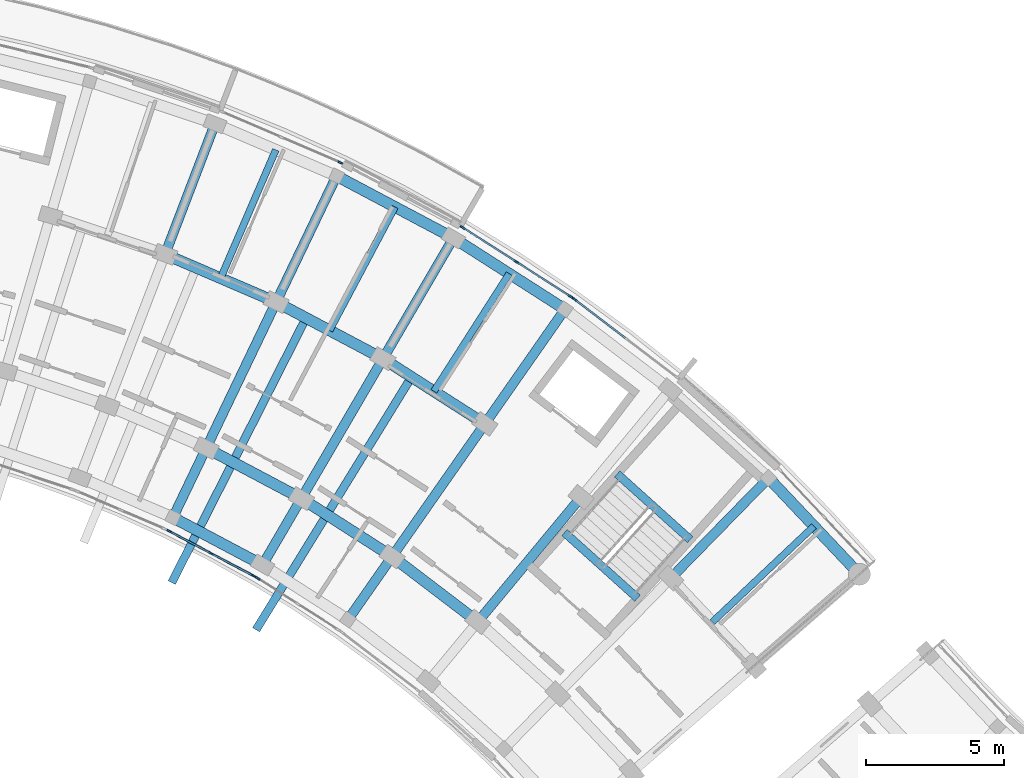
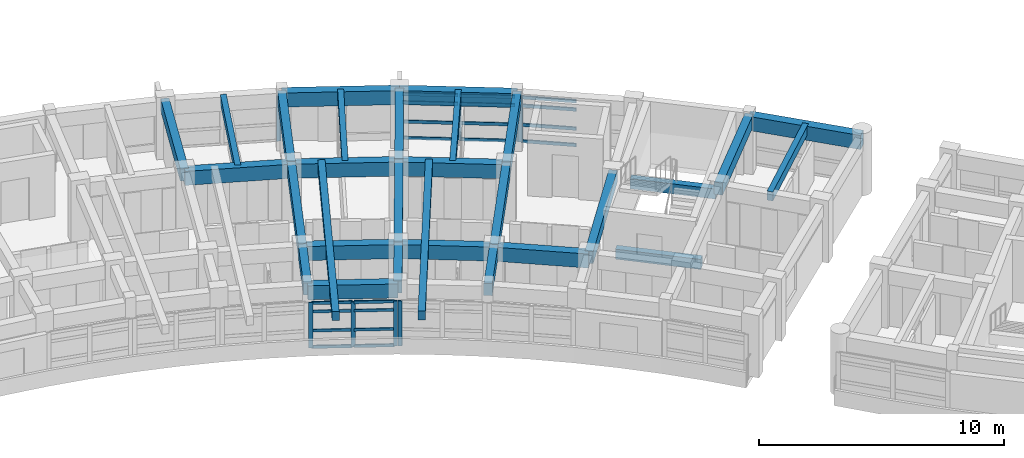
# One storey, part 15 of 55: 30 beams, 29 members, 5 elements without a shape of their own.
"""IFC4 building model written with IfcOpenShell, lengths in metres."""

from ifc_helpers import new_model, si_unit, direction, frame, origin, origin_2d, place, context, subcontext, project, spatial, rectangle, extrude, material, material_profile, profile_set, type_object, element, aggregate, save


model = new_model("IFC4")

# Units and contexts
model_context = context("Model", 3, precision=1e-05, world=origin(), true_north=direction((0.0, 1.0)))
body_context = subcontext(model_context, "Body", "Model", "MODEL_VIEW")
ifc_project = project(units=[si_unit("LENGTHUNIT", "METRE"), si_unit("AREAUNIT", "SQUARE_METRE"), si_unit("VOLUMEUNIT", "CUBIC_METRE"), si_unit("PLANEANGLEUNIT", "RADIAN"), si_unit("MASSUNIT", "GRAM", prefix="KILO")], contexts=[model_context])

# Site, building, storey
site_placement = place(None, origin())
site = spatial("IfcSite", under=ifc_project, at=site_placement, CompositionType="ELEMENT")
building_placement = place(site_placement, origin())
building = spatial("IfcBuilding", under=site, at=building_placement, Name="Zimvara Arc Housing Community", CompositionType="ELEMENT")
storey_placement = place(building_placement, frame((0.0, 0.0, 14.300048828125)))
storey = spatial("IfcBuildingStorey", under=building, at=storey_placement, Name="L04", CompositionType="ELEMENT", Elevation=14.300048828125)

# Beams
ifc_material_1 = material(Name="Concrete C40/50", Category="concrete")
ifc_material_profile_1 = material_profile(ifc_material_1, rectangle(XDim=0.25, YDim=0.449951171875, at=origin_2d()), Name="RC 250x450")
ifc_profile_set_1 = profile_set([ifc_material_profile_1], Name="Concrete C40/50")
beam_type_1 = type_object("IfcBeamType", Name="BM-RC-250x450", PredefinedType="JOIST", material=ifc_profile_set_1)
beam_1_placement = place(storey_placement, frame((66.22802734375, 93.885986328125, 2.635009765625), z_axis=(0.394929109608, 0.918711596958, 0.0), x_axis=(-0.918711596958, 0.394929109608, 0.0)))
element("IfcBeam", 1, at=beam_1_placement, inside=storey, type_object=beam_type_1, Name="bm:blkB:L04:joist:b4", PredefinedType="JOIST", context=body_context, shape_type="SweptSolid", body=[
    extrude(rectangle(XDim=0.25, YDim=0.449951171875, at=origin_2d()), origin(), (0.0, 0.0, 1.0), 5.075927734375),
])
for number, where, z_axis, x_axis, name in (
    (2, (70.186767578125, 91.9892578125, 2.635009765625), (0.46853732736, 0.883443701019, 0.0), (-0.883443701019, 0.46853732736, 0.0), "bm:blkB:L04:joist:b5"),
    (3, (73.9775390625, 89.776123046875, 2.635009765625), (0.539052331508, 0.842272274206, 0.0), (-0.842272274206, 0.539052331508, 0.0), "bm:blkB:L04:joist:b6"),
):
    element("IfcBeam", number, at=place(storey_placement, frame(where, z_axis=z_axis, x_axis=x_axis)), inside=storey, type_object=beam_type_1, Name=name, PredefinedType="JOIST", context=body_context, shape_type="SweptSolid", body=[
        extrude(rectangle(XDim=0.25, YDim=0.449951171875, at=origin_2d()), origin(), (0.0, 0.0, 1.0), 5.07568359375),
    ])
beam_2_placement = place(storey_placement, frame((84.095703125, 81.3935546875, 2.635009765625), z_axis=(0.727299876429, 0.686319815936, 0.0), x_axis=(-0.686319815936, 0.727299876429, 0.0)))
element("IfcBeam", 4, at=beam_2_placement, inside=storey, type_object=beam_type_1, Name="bm:blkB:L04:joist:b9", PredefinedType="JOIST", context=body_context, shape_type="SweptSolid", body=[
    extrude(rectangle(XDim=0.25, YDim=0.449951171875, at=origin_2d()), origin(), (0.0, 0.0, 1.0), 5.075927734375),
])
ifc_material_2 = material(Name="Concrete C40/50", Category="concrete")
ifc_material_profile_2 = material_profile(ifc_material_2, rectangle(XDim=0.300048828125, YDim=0.449951171875, at=origin_2d()), Name="RC 300x450")
ifc_profile_set_2 = profile_set([ifc_material_profile_2], Name="Concrete C40/50")
beam_type_2 = type_object("IfcBeamType", Name="BM-RC-300x450", PredefinedType="JOIST", material=ifc_profile_set_2)
beam_3_placement = place(storey_placement, frame((69.349609375, 92.474365234375, 2.6650390625), z_axis=(-0.452584717722, -0.89172141013, 0.0), x_axis=(0.89172141013, -0.452584717722, 0.0)))
element("IfcBeam", 5, at=beam_3_placement, inside=storey, type_object=beam_type_2, Name="bm:blkB:L04:cant_in:b5", PredefinedType="JOIST", context=body_context, shape_type="SweptSolid", body=[
    extrude(rectangle(XDim=0.300048828125, YDim=0.449951171875, at=origin_2d()), origin(), (0.0, 0.0, 1.0), 10.820068359375),
])
beam_4_placement = place(storey_placement, frame((73.182861328125, 90.32763671875, 2.6650390625), z_axis=(-0.523845615736, -0.851813225346, 0.0), x_axis=(0.851813225346, -0.523845615736, 0.0)))
element("IfcBeam", 6, at=beam_4_placement, inside=storey, type_object=beam_type_2, Name="bm:blkB:L04:cant_in:b6", PredefinedType="JOIST", context=body_context, shape_type="SweptSolid", body=[
    extrude(rectangle(XDim=0.300048828125, YDim=0.449951171875, at=origin_2d()), origin(), (0.0, 0.0, 1.0), 10.81982421875),
])
ifc_material_3 = material(Name="Concrete C40/50", Category="concrete")
ifc_material_profile_3 = material_profile(ifc_material_3, rectangle(XDim=0.300048828125, YDim=0.5, at=origin_2d()), Name="RC 300x500")
ifc_profile_set_3 = profile_set([ifc_material_profile_3], Name="Concrete C40/50")
beam_type_3 = type_object("IfcBeamType", Name="BM-RC-300x500", PredefinedType="BEAM", material=ifc_profile_set_3)
beam_5_placement = place(storey_placement, frame((81.375732421875, 82.259033203125, -0.25), z_axis=(-0.743362151162, 0.668889162881, 0.0), x_axis=(-0.668889162881, -0.743362151162, 0.0)))
element("IfcBeam", 7, at=beam_5_placement, inside=storey, type_object=beam_type_3, Name="bm:stair_trim:ST-B2:L04:near", PredefinedType="BEAM", context=body_context, shape_type="SweptSolid", body=[
    extrude(rectangle(XDim=0.300048828125, YDim=0.5, at=origin_2d()), origin(), (0.0, 0.0, 1.0), 3.570068359375),
])
beam_6_placement = place(storey_placement, frame((83.2900390625, 84.38671875, 1.300048828125), z_axis=(-0.743396155404, 0.668851370732, 0.0), x_axis=(-0.668851370732, -0.743396155404, 0.0)))
element("IfcBeam", 8, at=beam_6_placement, inside=storey, type_object=beam_type_3, Name="bm:stair_trim:ST-B2:L04:mid", PredefinedType="BEAM", context=body_context, shape_type="SweptSolid", body=[
    extrude(rectangle(XDim=0.300048828125, YDim=0.5, at=origin_2d()), origin(), (0.0, 0.0, 1.0), 3.56982421875),
])
ifc_material_4 = material(Name="Concrete C40/50", Category="concrete")
ifc_material_profile_4 = material_profile(ifc_material_4, rectangle(XDim=0.35009765625, YDim=0.60009765625, at=origin_2d()), Name="RC 350x600")
ifc_profile_set_4 = profile_set([ifc_material_profile_4], Name="Concrete C40/50")
beam_type_4 = type_object("IfcBeamType", Name="BM-RC-350x600", PredefinedType="BEAM", material=ifc_profile_set_4)
beam_7_placement = place(storey_placement, frame((64.2099609375, 94.75341796875, 2.56005859375), z_axis=(0.357078271386, 0.934074466038, 0.0), x_axis=(-0.934074466038, 0.357078271386, 0.0)))
element("IfcBeam", 9, at=beam_7_placement, inside=storey, type_object=beam_type_4, Name="bm:blkB:L04:rad:b4:r23", PredefinedType="BEAM", context=body_context, shape_type="SweptSolid", body=[
    extrude(rectangle(XDim=0.35009765625, YDim=0.60009765625, at=origin_2d()), origin(), (0.0, 0.0, 1.0), 5.080078125),
])
beam_8_placement = place(storey_placement, frame((64.49560546875, 85.190673828125, 2.56005859375), z_axis=(0.432118703138, 0.901816736593, 0.0), x_axis=(-0.901816736593, 0.432118703138, 0.0)))
element("IfcBeam", 10, at=beam_8_placement, inside=storey, type_object=beam_type_4, Name="bm:blkB:L04:rad:b5:r01", PredefinedType="BEAM", context=body_context, shape_type="SweptSolid", body=[
    extrude(rectangle(XDim=0.35009765625, YDim=0.60009765625, at=origin_2d()), origin(), (0.0, 0.0, 1.0), 2.800048828125),
])
beam_9_placement = place(storey_placement, frame((65.70556640625, 87.7158203125, 2.56005859375), z_axis=(0.432069527705, 0.901840298073, 0.0), x_axis=(-0.901840298073, 0.432069527705, 0.0)))
element("IfcBeam", 11, at=beam_9_placement, inside=storey, type_object=beam_type_4, Name="bm:blkB:L04:rad:b5:r12", PredefinedType="BEAM", context=body_context, shape_type="SweptSolid", body=[
    extrude(rectangle(XDim=0.35009765625, YDim=0.60009765625, at=origin_2d()), origin(), (0.0, 0.0, 1.0), 5.8798828125),
])
beam_10_placement = place(storey_placement, frame((68.24609375, 93.0185546875, 2.56005859375), z_axis=(0.432098194978, 0.901826563091, 0.0), x_axis=(-0.901826563091, 0.432098194978, 0.0)))
element("IfcBeam", 12, at=beam_10_placement, inside=storey, type_object=beam_type_4, Name="bm:blkB:L04:rad:b5:r23", PredefinedType="BEAM", context=body_context, shape_type="SweptSolid", body=[
    extrude(rectangle(XDim=0.35009765625, YDim=0.60009765625, at=origin_2d()), origin(), (0.0, 0.0, 1.0), 5.080078125),
])
beam_11_placement = place(storey_placement, frame((67.750732421875, 83.46435546875, 2.56005859375), z_axis=(0.504239631668, 0.86356377521, 0.0), x_axis=(-0.86356377521, 0.504239631668, 0.0)))
element("IfcBeam", 13, at=beam_11_placement, inside=storey, type_object=beam_type_4, Name="bm:blkB:L04:rad:b6:r01", PredefinedType="BEAM", context=body_context, shape_type="SweptSolid", body=[
    extrude(rectangle(XDim=0.35009765625, YDim=0.60009765625, at=origin_2d()), origin(), (0.0, 0.0, 1.0), 2.800048828125),
])
beam_12_placement = place(storey_placement, frame((69.16259765625, 85.88232421875, 2.56005859375), z_axis=(0.504219494781, 0.863575532934, 0.0), x_axis=(-0.863575532934, 0.504219494781, 0.0)))
element("IfcBeam", 14, at=beam_12_placement, inside=storey, type_object=beam_type_4, Name="bm:blkB:L04:rad:b6:r12", PredefinedType="BEAM", context=body_context, shape_type="SweptSolid", body=[
    extrude(rectangle(XDim=0.35009765625, YDim=0.60009765625, at=origin_2d()), origin(), (0.0, 0.0, 1.0), 5.880126953125),
])
beam_13_placement = place(storey_placement, frame((72.12744140625, 90.960205078125, 2.56005859375), z_axis=(0.504196701544, 0.863588840915, 0.0), x_axis=(-0.863588840915, 0.504196701544, 0.0)))
element("IfcBeam", 15, at=beam_13_placement, inside=storey, type_object=beam_type_4, Name="bm:blkB:L04:rad:b6:r23", PredefinedType="BEAM", context=body_context, shape_type="SweptSolid", body=[
    extrude(rectangle(XDim=0.35009765625, YDim=0.60009765625, at=origin_2d()), origin(), (0.0, 0.0, 1.0), 5.079833984375),
])
beam_14_placement = place(storey_placement, frame((70.85400390625, 81.478271484375, 2.56005859375), z_axis=(0.57297651105, 0.819571789281, 0.0), x_axis=(-0.819571789281, 0.57297651105, 0.0)))
element("IfcBeam", 16, at=beam_14_placement, inside=storey, type_object=beam_type_4, Name="bm:blkB:L04:rad:b7:r01", PredefinedType="BEAM", context=body_context, shape_type="SweptSolid", body=[
    extrude(rectangle(XDim=0.35009765625, YDim=0.60009765625, at=origin_2d()), origin(), (0.0, 0.0, 1.0), 2.7998046875),
])
beam_15_placement = place(storey_placement, frame((72.458251953125, 83.77294921875, 2.56005859375), z_axis=(0.573027549978, 0.819536104736, 0.0), x_axis=(-0.819536104736, 0.573027549978, 0.0)))
element("IfcBeam", 17, at=beam_15_placement, inside=storey, type_object=beam_type_4, Name="bm:blkB:L04:rad:b7:r12", PredefinedType="BEAM", context=body_context, shape_type="SweptSolid", body=[
    extrude(rectangle(XDim=0.35009765625, YDim=0.60009765625, at=origin_2d()), origin(), (0.0, 0.0, 1.0), 5.8798828125),
])
beam_16_placement = place(storey_placement, frame((75.82763671875, 88.591796875, 2.56005859375), z_axis=(0.573007469479, 0.819550144848, 0.0), x_axis=(-0.819550144848, 0.573007469479, 0.0)))
element("IfcBeam", 18, at=beam_16_placement, inside=storey, type_object=beam_type_4, Name="bm:blkB:L04:rad:b7:r23", PredefinedType="BEAM", context=body_context, shape_type="SweptSolid", body=[
    extrude(rectangle(XDim=0.35009765625, YDim=0.60009765625, at=origin_2d()), origin(), (0.0, 0.0, 1.0), 5.080078125),
])
beam_17_placement = place(storey_placement, frame((75.571044921875, 81.401611328125, 2.56005859375), z_axis=(0.637955964415, 0.770072845559, 0.0), x_axis=(-0.770072845559, 0.637955964415, 0.0)))
element("IfcBeam", 19, at=beam_17_placement, inside=storey, type_object=beam_type_4, Name="bm:blkB:L04:rad:b8:r12", PredefinedType="BEAM", context=body_context, shape_type="SweptSolid", body=[
    extrude(rectangle(XDim=0.35009765625, YDim=0.60009765625, at=origin_2d()), origin(), (0.0, 0.0, 1.0), 5.880126953125),
])
beam_18_placement = place(storey_placement, frame((82.588134765625, 82.9912109375, 2.56005859375), z_axis=(0.698670885014, 0.71544321538, 0.0), x_axis=(-0.71544321538, 0.698670885014, 0.0)))
element("IfcBeam", 20, at=beam_18_placement, inside=storey, type_object=beam_type_4, Name="bm:blkB:L04:rad:b9:r23", PredefinedType="BEAM", context=body_context, shape_type="SweptSolid", body=[
    extrude(rectangle(XDim=0.35009765625, YDim=0.60009765625, at=origin_2d()), origin(), (0.0, 0.0, 1.0), 5.080078125),
])
ifc_material_5 = material(Name="Concrete C40/50", Category="concrete")
ifc_material_profile_5 = material_profile(ifc_material_5, rectangle(XDim=0.39990234375, YDim=0.699951171875, at=origin_2d()), Name="RC 400x700")
ifc_profile_set_5 = profile_set([ifc_material_profile_5], Name="Concrete C40/50")
beam_type_5 = type_object("IfcBeamType", Name="BM-RC-400x700", PredefinedType="BEAM", material=ifc_profile_set_5)
beam_19_placement = place(storey_placement, frame((64.49560546875, 85.190673828125, 2.510009765625), z_axis=(0.883449220086, -0.468526920815, 0.0), x_axis=(0.468526920815, 0.883449220086, 0.0)))
element("IfcBeam", 21, at=beam_19_placement, inside=storey, type_object=beam_type_5, Name="bm:blkB:L04:chord:r0:b5", PredefinedType="BEAM", context=body_context, shape_type="SweptSolid", body=[
    extrude(rectangle(XDim=0.39990234375, YDim=0.699951171875, at=origin_2d()), origin(), (0.0, 0.0, 1.0), 3.6845703125),
])
beam_20_placement = place(storey_placement, frame((65.70556640625, 87.7158203125, 2.510009765625), z_axis=(0.883438625159, -0.468546897948, 0.0), x_axis=(0.468546897948, 0.883438625159, 0.0)))
element("IfcBeam", 22, at=beam_20_placement, inside=storey, type_object=beam_type_5, Name="bm:blkB:L04:chord:r1:b5", PredefinedType="BEAM", context=body_context, shape_type="SweptSolid", body=[
    extrude(rectangle(XDim=0.39990234375, YDim=0.699951171875, at=origin_2d()), origin(), (0.0, 0.0, 1.0), 3.9130859375),
])
beam_21_placement = place(storey_placement, frame((69.16259765625, 85.88232421875, 2.510009765625), z_axis=(0.842253269878, -0.539082024724, 0.0), x_axis=(0.539082024724, 0.842253269878, 0.0)))
element("IfcBeam", 23, at=beam_21_placement, inside=storey, type_object=beam_type_5, Name="bm:blkB:L04:chord:r1:b6", PredefinedType="BEAM", context=body_context, shape_type="SweptSolid", body=[
    extrude(rectangle(XDim=0.39990234375, YDim=0.699951171875, at=origin_2d()), origin(), (0.0, 0.0, 1.0), 3.912841796875),
])
beam_22_placement = place(storey_placement, frame((72.458251953125, 83.77294921875, 2.510009765625), z_axis=(0.795470387579, -0.605992460749, 0.0), x_axis=(0.605992460749, 0.795470387579, 0.0)))
element("IfcBeam", 24, at=beam_22_placement, inside=storey, type_object=beam_type_5, Name="bm:blkB:L04:chord:r1:b7", PredefinedType="BEAM", context=body_context, shape_type="SweptSolid", body=[
    extrude(rectangle(XDim=0.39990234375, YDim=0.699951171875, at=origin_2d()), origin(), (0.0, 0.0, 1.0), 3.9130859375),
])
for number, where, z_axis, x_axis, name in (
    (25, (64.2099609375, 94.75341796875, 2.510009765625), (0.918724840088, -0.394898301093, 0.0), (0.394898301093, 0.918724840088, 0.0), "bm:blkB:L04:chord:r2:b4"),
    (26, (68.24609375, 93.0185546875, 2.510009765625), (0.883456526058, -0.468513144496, 0.0), (0.468513144496, 0.883456526058, 0.0), "bm:blkB:L04:chord:r2:b5"),
    (27, (72.12744140625, 90.960205078125, 2.510009765625), (0.842242131326, -0.539099427025, 0.0), (0.539099427025, 0.842242131326, 0.0), "bm:blkB:L04:chord:r2:b6"),
):
    element("IfcBeam", number, at=place(storey_placement, frame(where, z_axis=z_axis, x_axis=x_axis)), inside=storey, type_object=beam_type_5, Name=name, PredefinedType="BEAM", context=body_context, shape_type="SweptSolid", body=[
        extrude(rectangle(XDim=0.39990234375, YDim=0.699951171875, at=origin_2d()), origin(), (0.0, 0.0, 1.0), 4.393310546875),
    ])
beam_23_placement = place(storey_placement, frame((70.441162109375, 97.599853515625, 2.510009765625), z_axis=(0.883445542299, -0.468533855546, 0.0), x_axis=(0.468533855546, 0.883445542299, 0.0)))
element("IfcBeam", 28, at=beam_23_placement, inside=storey, type_object=beam_type_5, Name="bm:blkB:L04:chord:r3:b5", PredefinedType="BEAM", context=body_context, shape_type="SweptSolid", body=[
    extrude(rectangle(XDim=0.39990234375, YDim=0.699951171875, at=origin_2d()), origin(), (0.0, 0.0, 1.0), 4.807861328125),
])
beam_24_placement = place(storey_placement, frame((74.688720703125, 95.34716796875, 2.510009765625), z_axis=(0.842255724028, -0.539078190379, 0.0), x_axis=(0.539078190379, 0.842255724028, 0.0)))
element("IfcBeam", 29, at=beam_24_placement, inside=storey, type_object=beam_type_5, Name="bm:blkB:L04:chord:r3:b6", PredefinedType="BEAM", context=body_context, shape_type="SweptSolid", body=[
    extrude(rectangle(XDim=0.39990234375, YDim=0.699951171875, at=origin_2d()), origin(), (0.0, 0.0, 1.0), 4.808349609375),
])
beam_25_placement = place(storey_placement, frame((86.137451171875, 86.625732421875, 2.510009765625), z_axis=(0.6862954451, -0.727322873307, 0.0), x_axis=(0.727322873307, 0.6862954451, 0.0)))
element("IfcBeam", 30, at=beam_25_placement, inside=storey, type_object=beam_type_5, Name="bm:blkB:L04:chord:r3:b9", PredefinedType="BEAM", context=body_context, shape_type="SweptSolid", body=[
    extrude(rectangle(XDim=0.39990234375, YDim=0.699951171875, at=origin_2d()), origin(), (0.0, 0.0, 1.0), 4.80810546875),
])

# Curtain wall, member
ifc_material_6 = material(Name="Anodised Aluminium AW-6063", Category="aluminium")
curtain_wall_type_1 = type_object("IfcCurtainWallType", Name="CW-SYS-02", PredefinedType="USERDEFINED", material=ifc_material_6)
curtain_wall_1_placement = place(storey_placement, origin())
curtain_wall_1 = element("IfcCurtainWall", 31, at=curtain_wall_1_placement, inside=storey, type_object=curtain_wall_type_1, Name="cw:blkB:L04:out:b4", ObjectType="CURTAIN WALL", PredefinedType="USERDEFINED")
ifc_material_7 = material(Name="Anodised Aluminium AW-6063", Category="aluminium")
ifc_material_profile_6 = material_profile(ifc_material_7, rectangle(XDim=0.06494140625, YDim=0.179931640625, at=origin_2d()), Name="ALU 65x180")
ifc_profile_set_6 = profile_set([ifc_material_profile_6], Name="Anodised Aluminium AW-6063")
member_type_1 = type_object("IfcMemberType", Name="CWM-65x150", PredefinedType="MULLION", material=ifc_profile_set_6)
member_1_placement = place(storey_placement, frame((70.572265625, 98.08740234375, 0.0), z_axis=(0.0, 0.0, 1.0), x_axis=(0.394904211998, 0.918722299363, 0.0)))
member_1 = element("IfcMember", 32, at=member_1_placement, type_object=member_type_1, Name="CW02 mullion 3", PredefinedType="MULLION", context=body_context, shape_type="SweptSolid", body=[
    extrude(rectangle(XDim=0.06494140625, YDim=0.179931640625, at=origin_2d()), origin(), (0.0, 0.0, 1.0), 2.25),
])
aggregate(curtain_wall_1, [member_1])

# Curtain wall, members
ifc_material_8 = material(Name="Anodised Aluminium AW-6063", Category="aluminium")
curtain_wall_type_2 = type_object("IfcCurtainWallType", Name="CW-SYS-04", PredefinedType="USERDEFINED", material=ifc_material_8)
curtain_wall_2_placement = place(storey_placement, origin())
curtain_wall_2 = element("IfcCurtainWall", 33, at=curtain_wall_2_placement, inside=storey, type_object=curtain_wall_type_2, Name="cw:blkB:L04:in:b5", ObjectType="CURTAIN WALL", PredefinedType="USERDEFINED")
member_2_placement = place(storey_placement, frame((64.361328125, 84.696533203125, 0.0), z_axis=(0.0, 0.0, 1.0), x_axis=(0.468544648573, 0.88343981815, 0.0)))
member_2 = element("IfcMember", 34, at=member_2_placement, type_object=member_type_1, Name="CW04 mullion 1", PredefinedType="MULLION", context=body_context, shape_type="SweptSolid", body=[
    extrude(rectangle(XDim=0.06494140625, YDim=0.179931640625, at=origin_2d()), origin(), (0.0, 0.0, 1.0), 2.25),
])
member_3_placement = place(storey_placement, frame((65.88916015625, 83.88623046875, 0.0), z_axis=(0.0, 0.0, 1.0), x_axis=(0.468544648573, 0.88343981815, 0.0)))
member_3 = element("IfcMember", 35, at=member_3_placement, type_object=member_type_1, Name="CW04 mullion 2", PredefinedType="MULLION", context=body_context, shape_type="SweptSolid", body=[
    extrude(rectangle(XDim=0.06494140625, YDim=0.179931640625, at=origin_2d()), origin(), (0.0, 0.0, 1.0), 2.25),
])
member_4_placement = place(storey_placement, frame((67.416748046875, 83.075927734375, 0.0), z_axis=(0.0, 0.0, 1.0), x_axis=(0.468544648573, 0.88343981815, 0.0)))
member_4 = element("IfcMember", 36, at=member_4_placement, type_object=member_type_1, Name="CW04 mullion 3", PredefinedType="MULLION", context=body_context, shape_type="SweptSolid", body=[
    extrude(rectangle(XDim=0.06494140625, YDim=0.179931640625, at=origin_2d()), origin(), (0.0, 0.0, 1.0), 2.25),
])

# Curtain wall, member
ifc_material_9 = material(Name="Anodised Aluminium AW-6063", Category="aluminium")
curtain_wall_type_3 = type_object("IfcCurtainWallType", Name="CW-SYS-06", PredefinedType="USERDEFINED", material=ifc_material_9)
curtain_wall_3_placement = place(storey_placement, origin())
curtain_wall_3 = element("IfcCurtainWall", 37, at=curtain_wall_3_placement, inside=storey, type_object=curtain_wall_type_3, Name="cw:blkB:L04:in:b6", ObjectType="CURTAIN WALL", PredefinedType="USERDEFINED")
member_5_placement = place(storey_placement, frame((67.576416015625, 82.982666015625, 0.0), z_axis=(0.0, 0.0, 1.0), x_axis=(0.539064085203, 0.842264751752, 0.0)))
member_5 = element("IfcMember", 38, at=member_5_placement, type_object=member_type_1, Name="CW06 mullion 1", PredefinedType="MULLION", context=body_context, shape_type="SweptSolid", body=[
    extrude(rectangle(XDim=0.06494140625, YDim=0.179931640625, at=origin_2d()), origin(), (0.0, 0.0, 1.0), 2.25),
])
aggregate(curtain_wall_3, [member_5])

# Curtain wall, members
ifc_material_10 = material(Name="Anodised Aluminium AW-6063", Category="aluminium")
curtain_wall_type_4 = type_object("IfcCurtainWallType", Name="CW-SYS-05", PredefinedType="USERDEFINED", material=ifc_material_10)
curtain_wall_4_placement = place(storey_placement, origin())
curtain_wall_4 = element("IfcCurtainWall", 39, at=curtain_wall_4_placement, inside=storey, type_object=curtain_wall_type_4, Name="cw:blkB:L04:out:b6", ObjectType="CURTAIN WALL", PredefinedType="USERDEFINED")
ifc_material_11 = material(Name="Anodised Aluminium AW-6063", Category="aluminium")
ifc_material_profile_7 = material_profile(ifc_material_11, rectangle(XDim=0.06494140625, YDim=0.195068359375, at=origin_2d()), Name="ALU 65x195")
ifc_profile_set_7 = profile_set([ifc_material_profile_7], Name="Anodised Aluminium AW-6063")
member_type_2 = type_object("IfcMemberType", Name="CWM-65x180", PredefinedType="MULLION", material=ifc_profile_set_7)
member_6_placement = place(storey_placement, frame((75.018798828125, 95.72900390625, 0.0), z_axis=(0.0, 0.0, 1.0), x_axis=(0.539064617721, 0.842264410931, 0.0)))
member_6 = element("IfcMember", 40, at=member_6_placement, type_object=member_type_2, Name="CW05 mullion 1", PredefinedType="MULLION", context=body_context, shape_type="SweptSolid", body=[
    extrude(rectangle(XDim=0.06494140625, YDim=0.195068359375, at=origin_2d()), origin(), (0.0, 0.0, 1.0), 2.25),
])
member_7_placement = place(storey_placement, frame((76.98291015625, 94.471923828125, 0.0), z_axis=(0.0, 0.0, 1.0), x_axis=(0.539064617721, 0.842264410931, 0.0)))
member_7 = element("IfcMember", 41, at=member_7_placement, type_object=member_type_2, Name="CW05 mullion 2", PredefinedType="MULLION", context=body_context, shape_type="SweptSolid", body=[
    extrude(rectangle(XDim=0.06494140625, YDim=0.195068359375, at=origin_2d()), origin(), (0.0, 0.0, 1.0), 2.25),
])
member_8_placement = place(storey_placement, frame((78.947021484375, 93.21484375, 0.0), z_axis=(0.0, 0.0, 1.0), x_axis=(0.539064617721, 0.842264410931, 0.0)))
member_8 = element("IfcMember", 42, at=member_8_placement, type_object=member_type_2, Name="CW05 mullion 3", PredefinedType="MULLION", context=body_context, shape_type="SweptSolid", body=[
    extrude(rectangle(XDim=0.06494140625, YDim=0.195068359375, at=origin_2d()), origin(), (0.0, 0.0, 1.0), 2.25),
])

# Curtain wall, member
ifc_material_12 = material(Name="Anodised Aluminium AW-6063", Category="aluminium")
curtain_wall_type_5 = type_object("IfcCurtainWallType", Name="CW-SYS-07", PredefinedType="USERDEFINED", material=ifc_material_12)
curtain_wall_5_placement = place(storey_placement, origin())
curtain_wall_5 = element("IfcCurtainWall", 43, at=curtain_wall_5_placement, inside=storey, type_object=curtain_wall_type_5, Name="cw:blkB:L04:out:b7", ObjectType="CURTAIN WALL", PredefinedType="USERDEFINED")
member_9_placement = place(storey_placement, frame((79.0986328125, 93.10888671875, 0.0), z_axis=(0.0, 0.0, 1.0), x_axis=(0.60598771987, 0.795473999177, 0.0)))
member_9 = element("IfcMember", 44, at=member_9_placement, type_object=member_type_2, Name="CW07 mullion 1", PredefinedType="MULLION", context=body_context, shape_type="SweptSolid", body=[
    extrude(rectangle(XDim=0.06494140625, YDim=0.195068359375, at=origin_2d()), origin(), (0.0, 0.0, 1.0), 2.25),
])

# Member
ifc_material_13 = material(Name="Anodised Aluminium AW-6063", Category="aluminium")
ifc_material_profile_8 = material_profile(ifc_material_13, rectangle(XDim=0.06494140625, YDim=0.139892578125, at=origin_2d()), Name="ALU 65x140")
ifc_profile_set_8 = profile_set([ifc_material_profile_8], Name="Anodised Aluminium AW-6063")
member_type_3 = type_object("IfcMemberType", Name="CWT-65x120", PredefinedType="USERDEFINED", material=ifc_profile_set_8)
member_10_placement = place(storey_placement, frame((64.39013671875, 84.68115234375, 0.032470703125), z_axis=(0.8834308201, -0.468561613982, 0.0), x_axis=(0.468561613982, 0.8834308201, 0.0)))
member_10 = element("IfcMember", 45, at=member_10_placement, type_object=member_type_3, Name="CW04 transom 1.1", ObjectType="TRANSOM", PredefinedType="USERDEFINED", context=body_context, shape_type="SweptSolid", body=[
    extrude(rectangle(XDim=0.06494140625, YDim=0.139892578125, at=origin_2d()), origin(), (0.0, 0.0, 1.0), 1.664306640625),
])

member_11_placement = place(storey_placement, frame((64.39013671875, 84.68115234375, 0.849853515625), z_axis=(0.8834308201, -0.468561613982, 0.0), x_axis=(0.468561613982, 0.8834308201, 0.0)))
member_11 = element("IfcMember", 46, at=member_11_placement, type_object=member_type_3, Name="CW04 transom 1.2", ObjectType="TRANSOM", PredefinedType="USERDEFINED", context=body_context, shape_type="SweptSolid", body=[
    extrude(rectangle(XDim=0.06494140625, YDim=0.139892578125, at=origin_2d()), origin(), (0.0, 0.0, 1.0), 1.664306640625),
])

member_12_placement = place(storey_placement, frame((64.39013671875, 84.68115234375, 1.800048828125), z_axis=(0.8834308201, -0.468561613982, 0.0), x_axis=(0.468561613982, 0.8834308201, 0.0)))
member_12 = element("IfcMember", 47, at=member_12_placement, type_object=member_type_3, Name="CW04 transom 1.3", ObjectType="TRANSOM", PredefinedType="USERDEFINED", context=body_context, shape_type="SweptSolid", body=[
    extrude(rectangle(XDim=0.06494140625, YDim=0.139892578125, at=origin_2d()), origin(), (0.0, 0.0, 1.0), 1.664306640625),
])

member_13_placement = place(storey_placement, frame((64.39013671875, 84.68115234375, 2.217529296875), z_axis=(0.8834308201, -0.468561613982, 0.0), x_axis=(0.468561613982, 0.8834308201, 0.0)))
member_13 = element("IfcMember", 48, at=member_13_placement, type_object=member_type_3, Name="CW04 transom 1.4", ObjectType="TRANSOM", PredefinedType="USERDEFINED", context=body_context, shape_type="SweptSolid", body=[
    extrude(rectangle(XDim=0.06494140625, YDim=0.139892578125, at=origin_2d()), origin(), (0.0, 0.0, 1.0), 1.664306640625),
])

member_14_placement = place(storey_placement, frame((65.917724609375, 83.870849609375, 0.032470703125), z_axis=(0.883463021947, -0.468500895252, 0.0), x_axis=(0.468500895252, 0.883463021947, 0.0)))
member_14 = element("IfcMember", 49, at=member_14_placement, type_object=member_type_3, Name="CW04 transom 2.1", ObjectType="TRANSOM", PredefinedType="USERDEFINED", context=body_context, shape_type="SweptSolid", body=[
    extrude(rectangle(XDim=0.06494140625, YDim=0.139892578125, at=origin_2d()), origin(), (0.0, 0.0, 1.0), 1.664306640625),
])

member_15_placement = place(storey_placement, frame((65.917724609375, 83.870849609375, 0.849853515625), z_axis=(0.883463021947, -0.468500895252, 0.0), x_axis=(0.468500895252, 0.883463021947, 0.0)))
member_15 = element("IfcMember", 50, at=member_15_placement, type_object=member_type_3, Name="CW04 transom 2.2", ObjectType="TRANSOM", PredefinedType="USERDEFINED", context=body_context, shape_type="SweptSolid", body=[
    extrude(rectangle(XDim=0.06494140625, YDim=0.139892578125, at=origin_2d()), origin(), (0.0, 0.0, 1.0), 1.664306640625),
])

member_16_placement = place(storey_placement, frame((65.917724609375, 83.870849609375, 1.800048828125), z_axis=(0.883463021947, -0.468500895252, 0.0), x_axis=(0.468500895252, 0.883463021947, 0.0)))
member_16 = element("IfcMember", 51, at=member_16_placement, type_object=member_type_3, Name="CW04 transom 2.3", ObjectType="TRANSOM", PredefinedType="USERDEFINED", context=body_context, shape_type="SweptSolid", body=[
    extrude(rectangle(XDim=0.06494140625, YDim=0.139892578125, at=origin_2d()), origin(), (0.0, 0.0, 1.0), 1.664306640625),
])

member_17_placement = place(storey_placement, frame((65.917724609375, 83.870849609375, 2.217529296875), z_axis=(0.883463021947, -0.468500895252, 0.0), x_axis=(0.468500895252, 0.883463021947, 0.0)))
member_17 = element("IfcMember", 52, at=member_17_placement, type_object=member_type_3, Name="CW04 transom 2.4", ObjectType="TRANSOM", PredefinedType="USERDEFINED", context=body_context, shape_type="SweptSolid", body=[
    extrude(rectangle(XDim=0.06494140625, YDim=0.139892578125, at=origin_2d()), origin(), (0.0, 0.0, 1.0), 1.664306640625),
])

aggregate(curtain_wall_2, [member_2, member_3, member_4, member_10, member_11, member_12, member_13, member_14, member_15, member_16, member_17])

ifc_material_14 = material(Name="Anodised Aluminium AW-6063", Category="aluminium")
ifc_material_profile_9 = material_profile(ifc_material_14, rectangle(XDim=0.06494140625, YDim=0.155029296875, at=origin_2d()), Name="ALU 65x155")
ifc_profile_set_9 = profile_set([ifc_material_profile_9], Name="Anodised Aluminium AW-6063")
member_type_4 = type_object("IfcMemberType", Name="CWT-65x140", PredefinedType="USERDEFINED", material=ifc_profile_set_9)
member_18_placement = place(storey_placement, frame((75.046142578125, 95.71142578125, 0.032470703125), z_axis=(0.842292914806, -0.539020079095, 0.0), x_axis=(0.539020079095, 0.842292914806, 0.0)))
member_18 = element("IfcMember", 53, at=member_18_placement, type_object=member_type_4, Name="CW05 transom 1.1", ObjectType="TRANSOM", PredefinedType="USERDEFINED", context=body_context, shape_type="SweptSolid", body=[
    extrude(rectangle(XDim=0.06494140625, YDim=0.155029296875, at=origin_2d()), origin(), (0.0, 0.0, 1.0), 2.266845703125),
])

member_19_placement = place(storey_placement, frame((75.046142578125, 95.71142578125, 0.849853515625), z_axis=(0.842292914806, -0.539020079095, 0.0), x_axis=(0.539020079095, 0.842292914806, 0.0)))
member_19 = element("IfcMember", 54, at=member_19_placement, type_object=member_type_4, Name="CW05 transom 1.2", ObjectType="TRANSOM", PredefinedType="USERDEFINED", context=body_context, shape_type="SweptSolid", body=[
    extrude(rectangle(XDim=0.06494140625, YDim=0.155029296875, at=origin_2d()), origin(), (0.0, 0.0, 1.0), 2.266845703125),
])

member_20_placement = place(storey_placement, frame((75.046142578125, 95.71142578125, 1.800048828125), z_axis=(0.842292914806, -0.539020079095, 0.0), x_axis=(0.539020079095, 0.842292914806, 0.0)))
member_20 = element("IfcMember", 55, at=member_20_placement, type_object=member_type_4, Name="CW05 transom 1.3", ObjectType="TRANSOM", PredefinedType="USERDEFINED", context=body_context, shape_type="SweptSolid", body=[
    extrude(rectangle(XDim=0.06494140625, YDim=0.155029296875, at=origin_2d()), origin(), (0.0, 0.0, 1.0), 2.266845703125),
])

member_21_placement = place(storey_placement, frame((75.046142578125, 95.71142578125, 2.217529296875), z_axis=(0.842292914806, -0.539020079095, 0.0), x_axis=(0.539020079095, 0.842292914806, 0.0)))
member_21 = element("IfcMember", 56, at=member_21_placement, type_object=member_type_4, Name="CW05 transom 1.4", ObjectType="TRANSOM", PredefinedType="USERDEFINED", context=body_context, shape_type="SweptSolid", body=[
    extrude(rectangle(XDim=0.06494140625, YDim=0.155029296875, at=origin_2d()), origin(), (0.0, 0.0, 1.0), 2.266845703125),
])

member_22_placement = place(storey_placement, frame((77.01025390625, 94.454345703125, 0.032470703125), z_axis=(0.842292914806, -0.539020079095, 0.0), x_axis=(0.539020079095, 0.842292914806, 0.0)))
member_22 = element("IfcMember", 57, at=member_22_placement, type_object=member_type_4, Name="CW05 transom 2.1", ObjectType="TRANSOM", PredefinedType="USERDEFINED", context=body_context, shape_type="SweptSolid", body=[
    extrude(rectangle(XDim=0.06494140625, YDim=0.155029296875, at=origin_2d()), origin(), (0.0, 0.0, 1.0), 2.266845703125),
])

member_23_placement = place(storey_placement, frame((77.01025390625, 94.454345703125, 0.849853515625), z_axis=(0.842292914806, -0.539020079095, 0.0), x_axis=(0.539020079095, 0.842292914806, 0.0)))
member_23 = element("IfcMember", 58, at=member_23_placement, type_object=member_type_4, Name="CW05 transom 2.2", ObjectType="TRANSOM", PredefinedType="USERDEFINED", context=body_context, shape_type="SweptSolid", body=[
    extrude(rectangle(XDim=0.06494140625, YDim=0.155029296875, at=origin_2d()), origin(), (0.0, 0.0, 1.0), 2.266845703125),
])

member_24_placement = place(storey_placement, frame((77.01025390625, 94.454345703125, 1.800048828125), z_axis=(0.842292914806, -0.539020079095, 0.0), x_axis=(0.539020079095, 0.842292914806, 0.0)))
member_24 = element("IfcMember", 59, at=member_24_placement, type_object=member_type_4, Name="CW05 transom 2.3", ObjectType="TRANSOM", PredefinedType="USERDEFINED", context=body_context, shape_type="SweptSolid", body=[
    extrude(rectangle(XDim=0.06494140625, YDim=0.155029296875, at=origin_2d()), origin(), (0.0, 0.0, 1.0), 2.266845703125),
])

member_25_placement = place(storey_placement, frame((77.01025390625, 94.454345703125, 2.217529296875), z_axis=(0.842292914806, -0.539020079095, 0.0), x_axis=(0.539020079095, 0.842292914806, 0.0)))
member_25 = element("IfcMember", 60, at=member_25_placement, type_object=member_type_4, Name="CW05 transom 2.4", ObjectType="TRANSOM", PredefinedType="USERDEFINED", context=body_context, shape_type="SweptSolid", body=[
    extrude(rectangle(XDim=0.06494140625, YDim=0.155029296875, at=origin_2d()), origin(), (0.0, 0.0, 1.0), 2.266845703125),
])

aggregate(curtain_wall_4, [member_6, member_7, member_8, member_18, member_19, member_20, member_21, member_22, member_23, member_24, member_25])

member_26_placement = place(storey_placement, frame((79.12451171875, 93.08935546875, 0.032470703125), z_axis=(0.795453969776, -0.606014011363, 0.0), x_axis=(0.606014011363, 0.795453969776, 0.0)))
member_26 = element("IfcMember", 61, at=member_26_placement, type_object=member_type_4, Name="CW07 transom 1.1", ObjectType="TRANSOM", PredefinedType="USERDEFINED", context=body_context, shape_type="SweptSolid", body=[
    extrude(rectangle(XDim=0.06494140625, YDim=0.155029296875, at=origin_2d()), origin(), (0.0, 0.0, 1.0), 2.266845703125),
])

member_27_placement = place(storey_placement, frame((79.12451171875, 93.08935546875, 0.849853515625), z_axis=(0.795453969776, -0.606014011363, 0.0), x_axis=(0.606014011363, 0.795453969776, 0.0)))
member_27 = element("IfcMember", 62, at=member_27_placement, type_object=member_type_4, Name="CW07 transom 1.2", ObjectType="TRANSOM", PredefinedType="USERDEFINED", context=body_context, shape_type="SweptSolid", body=[
    extrude(rectangle(XDim=0.06494140625, YDim=0.155029296875, at=origin_2d()), origin(), (0.0, 0.0, 1.0), 2.266845703125),
])

member_28_placement = place(storey_placement, frame((79.12451171875, 93.08935546875, 1.800048828125), z_axis=(0.795453969776, -0.606014011363, 0.0), x_axis=(0.606014011363, 0.795453969776, 0.0)))
member_28 = element("IfcMember", 63, at=member_28_placement, type_object=member_type_4, Name="CW07 transom 1.3", ObjectType="TRANSOM", PredefinedType="USERDEFINED", context=body_context, shape_type="SweptSolid", body=[
    extrude(rectangle(XDim=0.06494140625, YDim=0.155029296875, at=origin_2d()), origin(), (0.0, 0.0, 1.0), 2.266845703125),
])

member_29_placement = place(storey_placement, frame((79.12451171875, 93.08935546875, 2.217529296875), z_axis=(0.795453969776, -0.606014011363, 0.0), x_axis=(0.606014011363, 0.795453969776, 0.0)))
member_29 = element("IfcMember", 64, at=member_29_placement, type_object=member_type_4, Name="CW07 transom 1.4", ObjectType="TRANSOM", PredefinedType="USERDEFINED", context=body_context, shape_type="SweptSolid", body=[
    extrude(rectangle(XDim=0.06494140625, YDim=0.155029296875, at=origin_2d()), origin(), (0.0, 0.0, 1.0), 2.266845703125),
])

aggregate(curtain_wall_5, [member_9, member_26, member_27, member_28, member_29])

save(model, "model.ifc")
